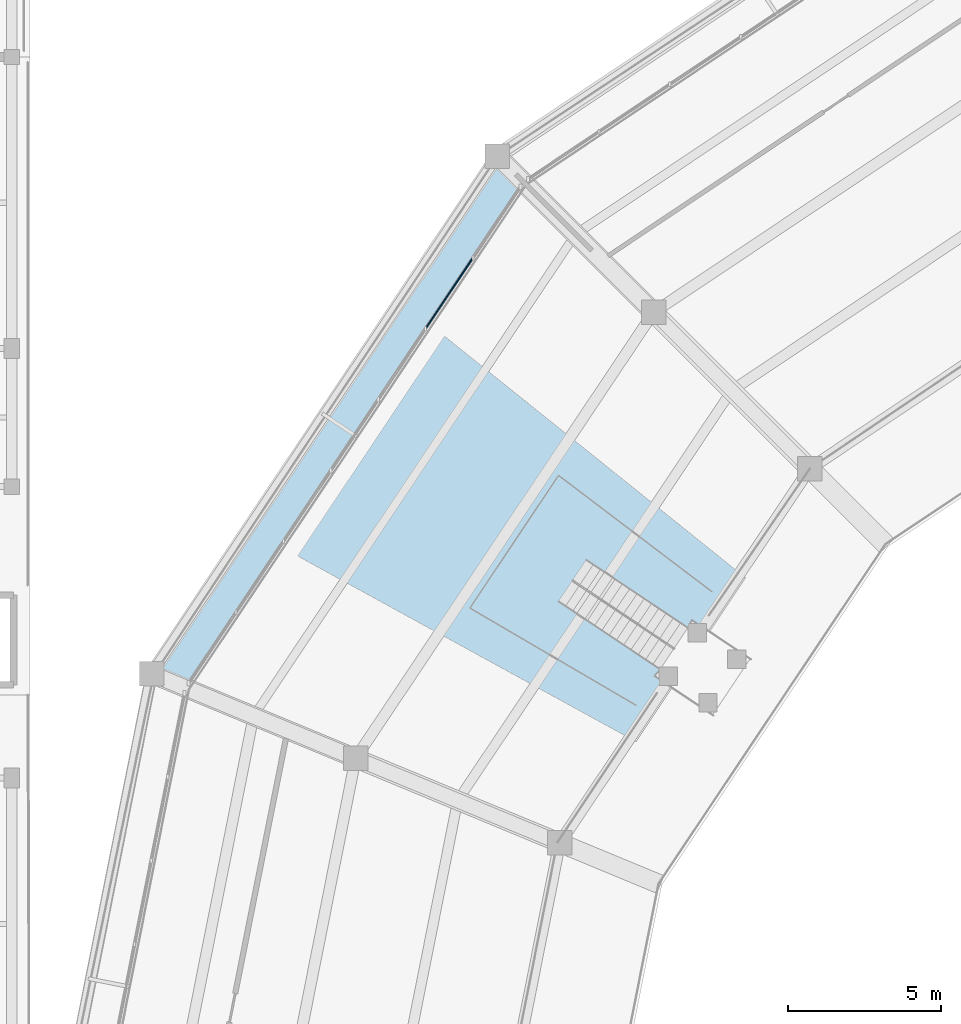
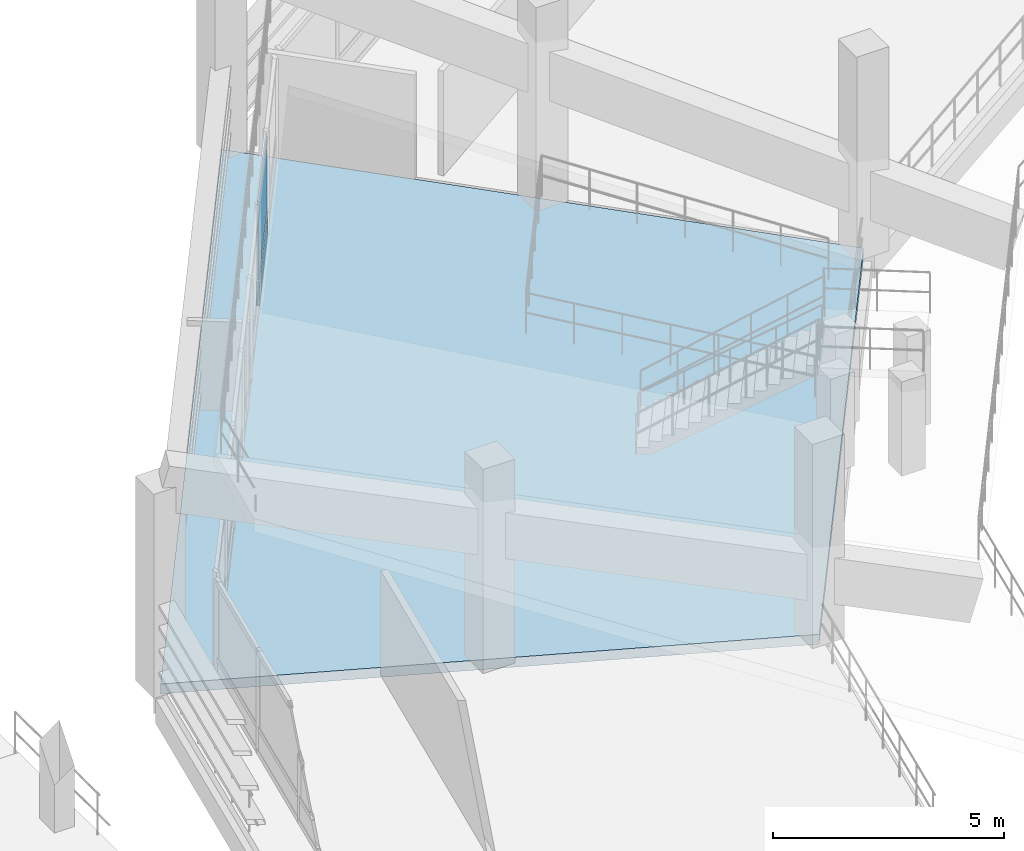
# One storey, part 52 of 96: 2 plates, 1 slab, 1 element without a shape of its own.
"""IFC4 building model written with IfcOpenShell, lengths in metres."""

from ifc_helpers import new_model, si_unit, direction, frame, origin, origin_2d, place, context, subcontext, project, spatial, polyline, rectangle, outline, extrude, material, layer, layer_set, type_object, element, aggregate, save


model = new_model("IFC4")

# Units and contexts
model_context = context("Model", 3, precision=1e-05, world=origin(), true_north=direction((0.0, 1.0)))
body_context = subcontext(model_context, "Body", "Model", "MODEL_VIEW")
ifc_project = project(units=[si_unit("LENGTHUNIT", "METRE"), si_unit("AREAUNIT", "SQUARE_METRE"), si_unit("VOLUMEUNIT", "CUBIC_METRE"), si_unit("PLANEANGLEUNIT", "RADIAN"), si_unit("MASSUNIT", "GRAM", prefix="KILO")], contexts=[model_context])

# Site, building, storey
site_placement = place(None, origin())
site = spatial("IfcSite", under=ifc_project, at=site_placement, CompositionType="ELEMENT")
building_placement = place(site_placement, origin())
building = spatial("IfcBuilding", under=site, at=building_placement, Name="Candeia Ridge Stadium", CompositionType="ELEMENT")
storey_placement = place(building_placement, frame((0.0, 0.0, 21.60009765625)))
storey = spatial("IfcBuildingStorey", under=building, at=storey_placement, Name="L04", CompositionType="ELEMENT", Elevation=21.60009765625)

# Slab
ifc_material_1 = material(Name="Concrete C40/50", Category="concrete")
ifc_layer_1 = layer(ifc_material_1, 0.260009765625, Name="Concrete C40/50", Category="concrete")
ifc_layer_set_1 = layer_set([ifc_layer_1], Name="Concrete C40/50")
slab_type = type_object("IfcSlabType", Name="Concourse Structural Slab 260", PredefinedType="FLOOR", material=ifc_layer_set_1)
slab_placement = place(storey_placement, frame((0.0, 0.0, -0.260009765625)))
element("IfcSlab", 1, at=slab_placement, inside=storey, type_object=slab_type, Name="Bowl concourse sector slab L04 bay 10 SLB-L04-0154", PredefinedType="FLOOR", context=body_context, shape_type="SweptSolid", body=[
    extrude(outline(polyline([(36.26220703125, 109.388916015625), (22.958251953125, 114.8994140625), (34.208251953125, 131.736328125), (44.390625, 121.553955078125), (36.26220703125, 109.388916015625)])), origin(), (0.0, 0.0, 1.0), 0.260009765625),
])

# Curtain wall, plates
ifc_material_2 = material(Name="Aluminium Anodized Warm Bronze", Category="aluminium")
curtain_wall_type = type_object("IfcCurtainWallType", Name="Concourse Recessed Unitised Curtain Wall", PredefinedType="NOTDEFINED", material=ifc_material_2)
curtain_wall_placement = place(storey_placement, origin())
curtain_wall = element("IfcCurtainWall", 2, at=curtain_wall_placement, inside=storey, type_object=curtain_wall_type, Name="Unitised curtain wall CW-BWL-L04-09", PredefinedType="NOTDEFINED")
ifc_material_3 = material(Name="Aluminium Insulated Spandrel", Category="aluminium")
ifc_layer_2 = layer(ifc_material_3, 0.06494140625, Name="Aluminium Insulated Spandrel", Category="aluminium")
ifc_layer_set_2 = layer_set([ifc_layer_2], Name="Aluminium Insulated Spandrel")
plate_type_1 = type_object("IfcPlateType", Name="Insulated Bronze Spandrel Panel SP2", PredefinedType="CURTAIN_PANEL", material=ifc_layer_set_2)
plate_1_placement = place(storey_placement, frame((32.662109375, 127.303955078125, 0.0400390625), z_axis=(0.0, 0.0, 1.0), x_axis=(-0.555571447533, -0.831468800789, 0.0)))
plate_1 = element("IfcPlate", 3, at=plate_1_placement, type_object=plate_type_1, Name="Curtain wall spandrel panel CW-BWL-L04-09-SP1", PredefinedType="CURTAIN_PANEL", context=body_context, shape_type="SweptSolid", body=[
    extrude(rectangle(XDim=2.710205078125, YDim=0.06494140625, at=origin_2d()), origin(), (0.0, 0.0, 1.0), 0.613037109375),
])
ifc_material_4 = material(Name="Tempered Low-E Double Glazing", Category="glass")
ifc_layer_3 = layer(ifc_material_4, 0.035888671875, Name="Tempered Low-E Double Glazing", Category="glass")
ifc_layer_set_3 = layer_set([ifc_layer_3], Name="Tempered Low-E Double Glazing")
plate_type_2 = type_object("IfcPlateType", Name="Solar Control Vision Glass Panel GP2", PredefinedType="CURTAIN_PANEL", material=ifc_layer_set_3)
plate_2_placement = place(storey_placement, frame((32.662109375, 127.303955078125, 0.733154296875), z_axis=(0.0, 0.0, 1.0), x_axis=(-0.555571447533, -0.831468800789, 0.0)))
plate_2 = element("IfcPlate", 4, at=plate_2_placement, type_object=plate_type_2, Name="Curtain wall vision glass panel CW-BWL-L04-09-GP1", PredefinedType="CURTAIN_PANEL", context=body_context, shape_type="SweptSolid", body=[
    extrude(rectangle(XDim=2.710205078125, YDim=0.035888671875, at=origin_2d()), origin(), (0.0, 0.0, 1.0), 1.9990234375),
])
aggregate(curtain_wall, [plate_1, plate_2])

save(model, "model.ifc")
